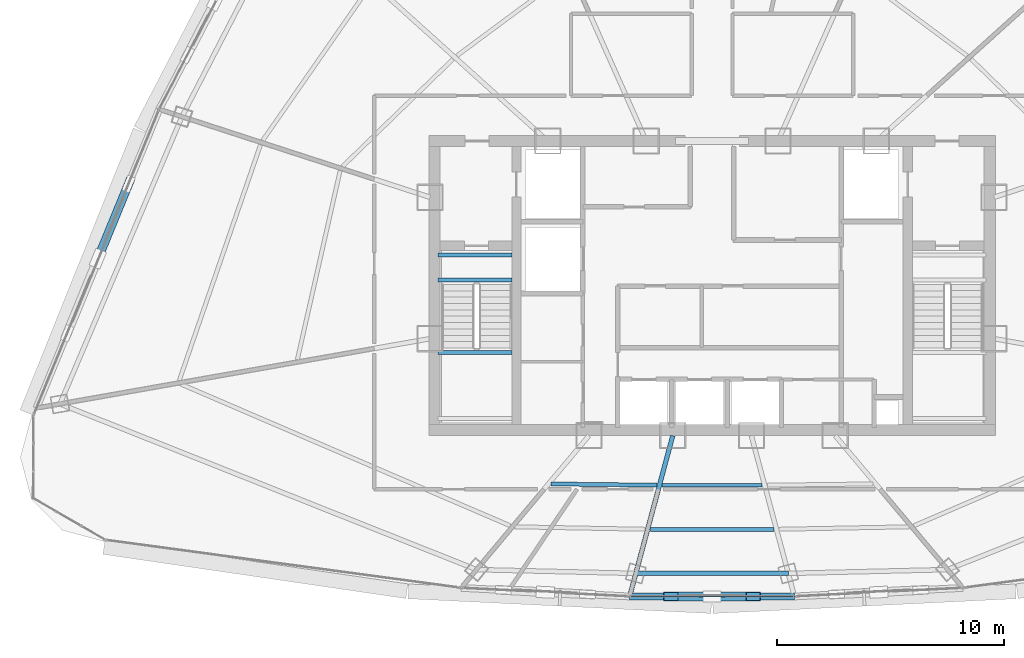
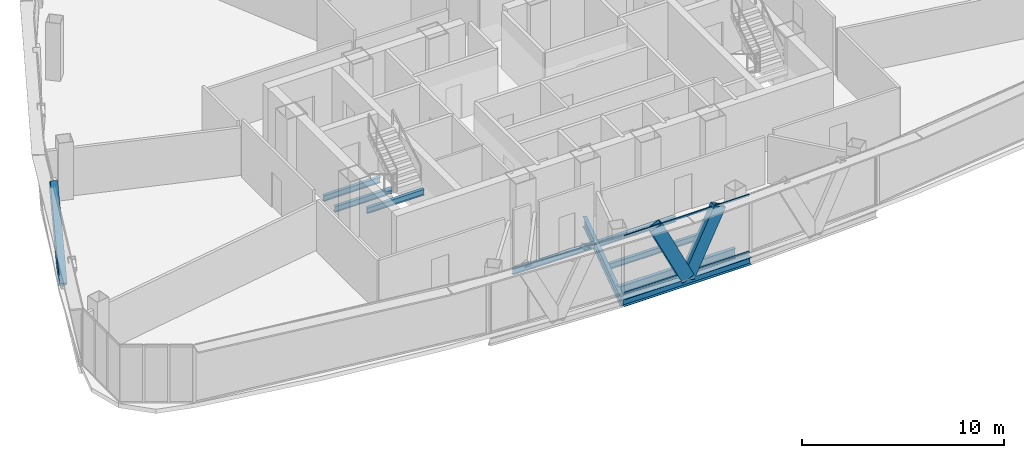
# One storey, part 7 of 33: 9 beams, 5 members, 1 element without a shape of its own.
"""IFC4 building model written with IfcOpenShell, lengths in metres."""

from ifc_helpers import new_model, si_unit, direction, frame, origin, origin_2d, place, context, subcontext, project, spatial, hollow_rectangle, i_section, extrude, source, transform, mapped, material, layer, layer_set, material_profile, profile_set, type_object, element, aggregate, save


model = new_model("IFC4")

# Units and contexts
model_context = context("Model", 3, precision=1e-05, world=origin(), true_north=direction((0.0, 1.0)))
body_context = subcontext(model_context, "Body", "Model", "MODEL_VIEW")
ifc_project = project(units=[si_unit("LENGTHUNIT", "METRE"), si_unit("AREAUNIT", "SQUARE_METRE"), si_unit("VOLUMEUNIT", "CUBIC_METRE"), si_unit("PLANEANGLEUNIT", "RADIAN"), si_unit("MASSUNIT", "GRAM", prefix="KILO"), si_unit("THERMODYNAMICTEMPERATUREUNIT", "KELVIN"), si_unit("POWERUNIT", "WATT")], contexts=[model_context])

# Site, building, storey
site_placement = place(None, origin())
site = spatial("IfcSite", under=ifc_project, at=site_placement, CompositionType="ELEMENT")
building_placement = place(site_placement, origin())
building = spatial("IfcBuilding", under=site, at=building_placement, Name="Yunzhuo Pagoda Commons", CompositionType="ELEMENT")
storey_placement = place(building_placement, frame((0.0, 0.0, 311.1298828125)))
storey = spatial("IfcBuildingStorey", under=building, at=storey_placement, Name="L78", CompositionType="ELEMENT", Elevation=311.1298828125)

# Beams
ifc_material_1 = material(Name="Structural steel Q355B", Category="steel")
ifc_material_profile_1 = material_profile(ifc_material_1, i_section(OverallWidth=0.175048828125, OverallDepth=0.35009765625, WebThickness=0.007080078125, FlangeThickness=0.010986328125, at=origin_2d()), Name="Structural steel Q355B")
ifc_profile_set_1 = profile_set([ifc_material_profile_1], Name="Structural steel Q355B")
beam_type_1 = type_object("IfcBeamType", Name="B-JS2 Joist HN 350x175x7x11", PredefinedType="JOIST", material=ifc_profile_set_1)
shared_shape_1 = source(origin(), body_context, "Body", "SweptSolid", [
    extrude(i_section(OverallWidth=0.175048828125, OverallDepth=0.35009765625, WebThickness=0.007080078125, FlangeThickness=0.010986328125, at=origin_2d()), origin(), (0.0, 0.0, 1.0), 3.25),
])
for number, where, z_axis, x_axis, name in (
    (1, (35.949951171875, 30.89990234375, 1.490234375), (1.0, 0.0, 0.0), (0.0, 1.0, 0.0), "L78 ST1 landing support beam 84B"),
    (2, (35.949951171875, 34.10009765625, -0.375), (1.0, 0.0, 0.0), (0.0, 1.0, 0.0), "L78 ST1 landing support beam 182A"),
    (3, (35.949951171875, 35.199951171875, -0.375), (1.0, 0.0, 0.0), (0.0, 1.0, 0.0), "L78 ST1 landing support beam 182B"),
):
    element("IfcBeam", number, at=place(storey_placement, frame(where, z_axis=z_axis, x_axis=x_axis)), inside=storey, type_object=beam_type_1, Name=name, PredefinedType="JOIST", context=body_context, shape_type="MappedRepresentation", body=[
        mapped(shared_shape_1, transform((0.0, 0.0, 0.0), scale=1.0)),
    ])
shared_shape_2 = source(origin(), body_context, "Body", "SweptSolid", [
    extrude(i_section(OverallWidth=0.175048828125, OverallDepth=0.35009765625, WebThickness=0.007080078125, FlangeThickness=0.010986328125, at=origin_2d()), origin(), (0.0, 0.0, 1.0), 4.64892578125),
])
beam_1_placement = place(storey_placement, frame((40.924072265625, 25.12890625, -0.434814453125), z_axis=(0.999924495467, -0.012288342626, 0.0), x_axis=(0.012288342626, 0.999924495467, 0.0)))
element("IfcBeam", 4, at=beam_1_placement, inside=storey, type_object=beam_type_1, Name="L78 composite ring joist 1.1", PredefinedType="JOIST", context=body_context, shape_type="MappedRepresentation", body=[
    mapped(shared_shape_2, transform((0.0, 0.0, 0.0), scale=1.0)),
])
ifc_material_profile_2 = material_profile(ifc_material_1, i_section(OverallWidth=0.199951171875, OverallDepth=0.60009765625, WebThickness=0.010986328125, FlangeThickness=0.01708984375, at=origin_2d()), Name="Structural steel Q355B")
ifc_profile_set_2 = profile_set([ifc_material_profile_2], Name="Structural steel Q355B")
beam_type_2 = type_object("IfcBeamType", Name="B-RG3 Beam HN 600x200x11x17", PredefinedType="BEAM", material=ifc_profile_set_2)
shared_shape_3 = source(origin(), body_context, "Body", "SweptSolid", [
    extrude(i_section(OverallWidth=0.199951171875, OverallDepth=0.60009765625, WebThickness=0.010986328125, FlangeThickness=0.01708984375, at=origin_2d()), origin(), (0.0, 0.0, 1.0), 6.701171875),
])
beam_2_placement = place(storey_placement, frame((44.6494140625, 21.195556640625, -0.559814453125), z_axis=(1.0, 0.0, 0.0), x_axis=(0.0, 1.0, 0.0)))
element("IfcBeam", 5, at=beam_2_placement, inside=storey, type_object=beam_type_2, Name="L78 column-ring beam 2", PredefinedType="BEAM", context=body_context, shape_type="MappedRepresentation", body=[
    mapped(shared_shape_3, transform((0.0, 0.0, 0.0), scale=1.0)),
])
shared_shape_4 = source(origin(), body_context, "Body", "SweptSolid", [
    extrude(i_section(OverallWidth=0.175048828125, OverallDepth=0.35009765625, WebThickness=0.007080078125, FlangeThickness=0.010986328125, at=origin_2d()), origin(), (0.0, 0.0, 1.0), 4.39453125),
])
beam_3_placement = place(storey_placement, frame((45.802734375, 25.070556640625, -0.434814453125), z_axis=(1.0, 0.0, 0.0), x_axis=(0.0, 1.0, 0.0)))
element("IfcBeam", 6, at=beam_3_placement, inside=storey, type_object=beam_type_1, Name="L78 composite ring joist 1.2", PredefinedType="JOIST", context=body_context, shape_type="MappedRepresentation", body=[
    mapped(shared_shape_4, transform((0.0, 0.0, 0.0), scale=1.0)),
])
shared_shape_5 = source(origin(), body_context, "Body", "SweptSolid", [
    extrude(i_section(OverallWidth=0.175048828125, OverallDepth=0.35009765625, WebThickness=0.007080078125, FlangeThickness=0.010986328125, at=origin_2d()), origin(), (0.0, 0.0, 1.0), 5.43310546875),
])
beam_4_placement = place(storey_placement, frame((45.283447265625, 23.133056640625, -0.434814453125), z_axis=(1.0, 0.0, 0.0), x_axis=(0.0, 1.0, 0.0)))
element("IfcBeam", 7, at=beam_4_placement, inside=storey, type_object=beam_type_1, Name="L78 composite ring joist 2.2", PredefinedType="JOIST", context=body_context, shape_type="MappedRepresentation", body=[
    mapped(shared_shape_5, transform((0.0, 0.0, 0.0), scale=1.0)),
])
shared_shape_6 = source(origin(), body_context, "Body", "SweptSolid", [
    extrude(i_section(OverallWidth=0.199951171875, OverallDepth=0.60009765625, WebThickness=0.010986328125, FlangeThickness=0.01708984375, at=origin_2d()), origin(), (0.0, 0.0, 1.0), 7.1630859375),
])
beam_5_placement = place(storey_placement, frame((44.417724609375, 20.3310546875, -0.559814453125), z_axis=(0.258861017182, 0.965914578927, 0.0), x_axis=(-0.965914578927, 0.258861017182, 0.0)))
element("IfcBeam", 8, at=beam_5_placement, inside=storey, type_object=beam_type_2, Name="L78 radial floor girder F1C2", PredefinedType="BEAM", context=body_context, shape_type="MappedRepresentation", body=[
    mapped(shared_shape_6, transform((0.0, 0.0, 0.0), scale=1.0)),
])
ifc_material_profile_3 = material_profile(ifc_material_1, i_section(OverallWidth=0.300048828125, OverallDepth=0.43994140625, WebThickness=0.010986328125, FlangeThickness=0.01806640625, at=origin_2d()), Name="Structural steel Q355B")
ifc_profile_set_3 = profile_set([ifc_material_profile_3], Name="Structural steel Q355B")
beam_type_3 = type_object("IfcBeamType", Name="B-SP2 Beam HM 440x300x11x18", PredefinedType="BEAM", material=ifc_profile_set_3)
shared_shape_7 = source(origin(), body_context, "Body", "SweptSolid", [
    extrude(i_section(OverallWidth=0.300048828125, OverallDepth=0.43994140625, WebThickness=0.010986328125, FlangeThickness=0.01806640625, at=origin_2d()), origin(), (0.0, 0.0, 1.0), 7.24462890625),
])
beam_6_placement = place(storey_placement, frame((44.3779296875, 20.181640625, -0.47998046875), z_axis=(1.0, 0.0, 0.0), x_axis=(0.0, 1.0, 0.0)))
element("IfcBeam", 9, at=beam_6_placement, inside=storey, type_object=beam_type_3, Name="L78 facade edge spandrel beam F1.2", PredefinedType="BEAM", context=body_context, shape_type="MappedRepresentation", body=[
    mapped(shared_shape_7, transform((0.0, 0.0, 0.0), scale=1.0)),
])

# Members
ifc_material_profile_4 = material_profile(ifc_material_1, hollow_rectangle(XDim=0.3798828125, YDim=0.719970703125, WallThickness=0.02001953125, at=origin_2d()), Name="Structural steel Q355B")
ifc_profile_set_4 = profile_set([ifc_material_profile_4], Name="Structural steel Q355B")
member_type_1 = type_object("IfcMemberType", Name="M-DL3 Brace BOX 720x380x20", PredefinedType="BRACE", material=ifc_profile_set_4)
shared_shape_8 = source(origin(), body_context, "Body", "SweptSolid", [
    extrude(hollow_rectangle(XDim=0.3798828125, YDim=0.719970703125, WallThickness=0.02001953125, at=origin_2d()), origin(), (0.0, 0.0, 1.0), 4.146484375),
])
for number, where, z_axis, x_axis, name in (
    (10, (48.0, 20.181640625, -0.259765625), (-0.436773286096, 0.0, 0.899571618357), (0.0, -1.0, 0.0), "L78 facade diamond brace F1.2L"),
    (11, (48.0, 20.181640625, -0.259765625), (0.436773286096, 0.0, 0.899571618357), (0.0, 1.0, 0.0), "L78 facade diamond brace F1.2R"),
):
    element("IfcMember", number, at=place(storey_placement, frame(where, z_axis=z_axis, x_axis=x_axis)), inside=storey, type_object=member_type_1, Name=name, PredefinedType="BRACE", context=body_context, shape_type="MappedRepresentation", body=[
        mapped(shared_shape_8, transform((0.0, 0.0, 0.0), scale=1.0)),
    ])
shared_shape_9 = source(origin(), body_context, "Body", "SweptSolid", [
    extrude(hollow_rectangle(XDim=0.3798828125, YDim=0.719970703125, WallThickness=0.02001953125, at=origin_2d()), origin(), (0.0, 0.0, 1.0), 5.14892578125),
])
member_1_placement = place(storey_placement, frame((21.001708984375, 35.02978515625, -0.259765625), z_axis=(0.261927301891, 0.637653576363, 0.724425292957), x_axis=(-0.925002551131, 0.379960893252, 0.0)))
element("IfcMember", 12, at=member_1_placement, inside=storey, type_object=member_type_1, Name="L78 facade diamond brace F3.3L", PredefinedType="BRACE", context=body_context, shape_type="MappedRepresentation", body=[
    mapped(shared_shape_9, transform((0.0, 0.0, 0.0), scale=1.0)),
])

# Curtain wall, members
ifc_material_2 = material(Name="Anodized aluminium 6063-T6", Category="aluminium")
ifc_layer = layer(ifc_material_2, 0.139892578125)
ifc_layer_set = layer_set([ifc_layer], Name="Anodized aluminium 6063-T6")
curtain_wall_type = type_object("IfcCurtainWallType", Name="CW-HI High-Zone Ribbon Curtain Wall", PredefinedType="NOTDEFINED", material=ifc_layer_set)
curtain_wall_placement = place(storey_placement, origin())
curtain_wall = element("IfcCurtainWall", 13, at=curtain_wall_placement, inside=storey, type_object=curtain_wall_type, Name="L78 curtain wall CW-L78-F1B3", PredefinedType="NOTDEFINED")
ifc_material_profile_5 = material_profile(ifc_material_2, hollow_rectangle(XDim=0.054931640625, YDim=0.1201171875, WallThickness=0.00341796875, at=origin_2d()), Name="Anodized aluminium 6063-T6")
ifc_profile_set_5 = profile_set([ifc_material_profile_5], Name="Anodized aluminium 6063-T6")
member_type_2 = type_object("IfcMemberType", Name="CW-HI-T Transom RHS 120x55x3.5", PredefinedType="USERDEFINED", material=ifc_profile_set_5)
shared_shape_10 = source(origin(), body_context, "Body", "SweptSolid", [
    extrude(hollow_rectangle(XDim=0.054931640625, YDim=0.1201171875, WallThickness=0.00341796875, at=origin_2d()), origin(), (0.0, 0.0, 1.0), 7.12451171875),
])
member_2_placement = place(storey_placement, frame((44.437744140625, 20.181640625, 0.027587890625), z_axis=(1.0, 0.0, 0.0), x_axis=(0.0, 1.0, 0.0)))
member_2 = element("IfcMember", 14, at=member_2_placement, type_object=member_type_2, Name="CW transom 1.1", ObjectType="TRANSOM", PredefinedType="USERDEFINED", context=body_context, shape_type="MappedRepresentation", body=[
    mapped(shared_shape_10, transform((0.0, 0.0, 0.0), scale=1.0)),
])
member_3_placement = place(storey_placement, frame((44.437744140625, 20.181640625, 3.442626953125), z_axis=(1.0, 0.0, 0.0), x_axis=(0.0, 1.0, 0.0)))
member_3 = element("IfcMember", 15, at=member_3_placement, type_object=member_type_2, Name="CW transom 1.2", ObjectType="TRANSOM", PredefinedType="USERDEFINED", context=body_context, shape_type="MappedRepresentation", body=[
    mapped(shared_shape_10, transform((0.0, 0.0, 0.0), scale=1.0)),
])
aggregate(curtain_wall, [member_2, member_3])

save(model, "model.ifc")
